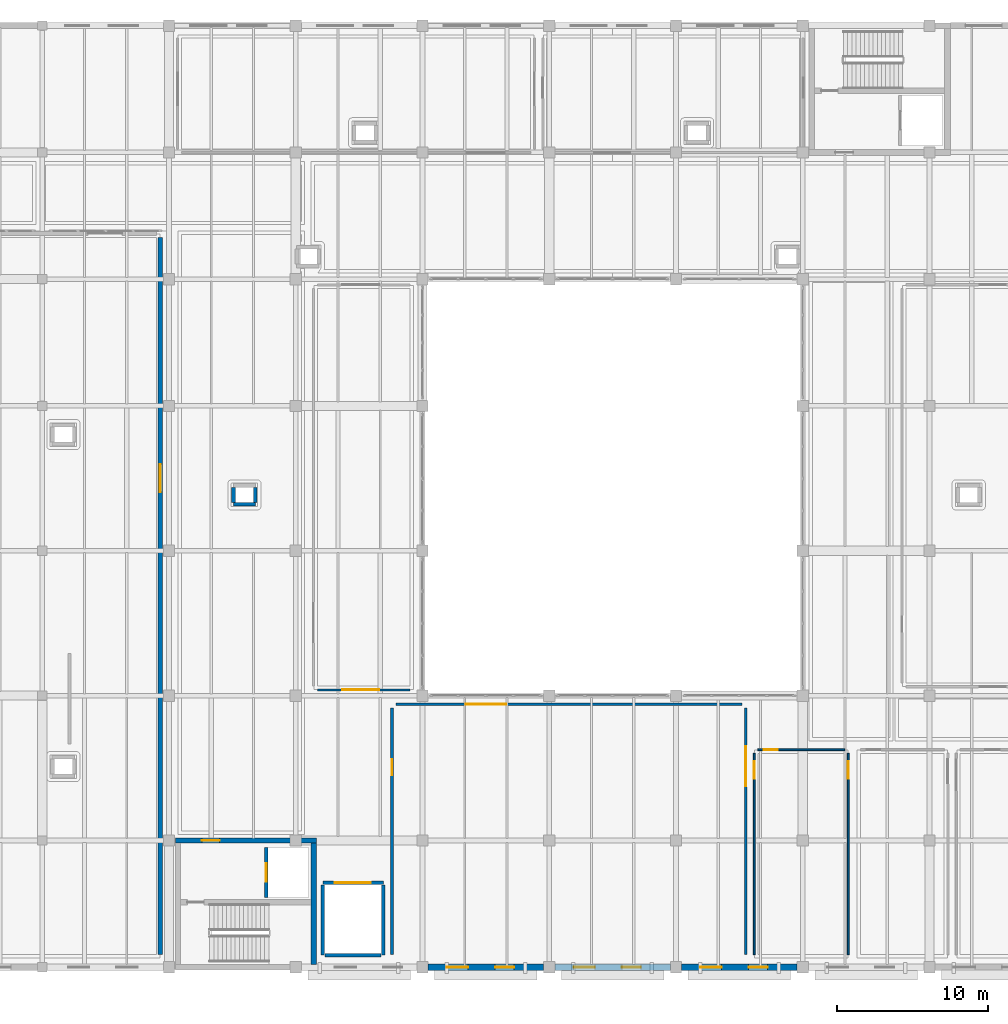
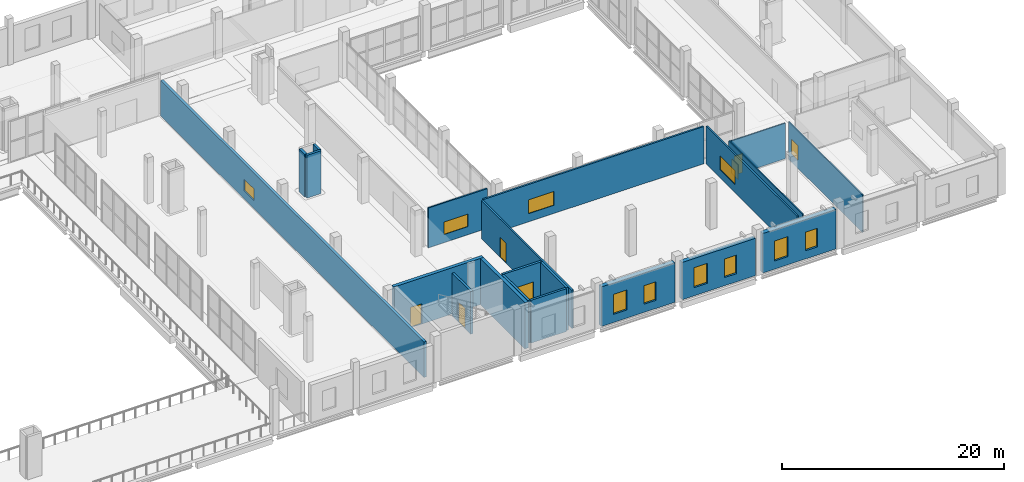
# One storey, part 62 of 77: 21 walls, 12 windows, 5 doors, 17 openings.
"""IFC4 building model written with IfcOpenShell, lengths in metres."""

from ifc_helpers import new_model, si_unit, direction, frame, frame_2d, origin, place, context, subcontext, project, spatial, rectangle, extrude, material, layer, layer_set, type_object, element, fill, save


model = new_model("IFC4")

# Units and contexts
model_context = context("Model", 3, precision=1e-05, world=origin(), true_north=direction((0.0, 1.0)))
body_context = subcontext(model_context, "Body", "Model", "MODEL_VIEW")
ifc_project = project(units=[si_unit("LENGTHUNIT", "METRE"), si_unit("AREAUNIT", "SQUARE_METRE"), si_unit("VOLUMEUNIT", "CUBIC_METRE"), si_unit("PLANEANGLEUNIT", "RADIAN"), si_unit("MASSUNIT", "GRAM", prefix="KILO")], contexts=[model_context])

# Site, building, storey
site_placement = place(None, origin())
site = spatial("IfcSite", under=ifc_project, at=site_placement, CompositionType="ELEMENT")
building_placement = place(site_placement, origin())
building = spatial("IfcBuilding", under=site, at=building_placement, Name="Zulmaris Art Gallery", CompositionType="ELEMENT")
storey_placement = place(building_placement, frame((0.0, 0.0, 15.60009765625)))
storey = spatial("IfcBuildingStorey", under=building, at=storey_placement, Name="L03", CompositionType="ELEMENT", Elevation=15.60009765625)

# Wall, openings, windows
ifc_material_1 = material(Name="Omani Cream Limestone Ashlar Masonry", Category="masonry")
ifc_layer_1 = layer(ifc_material_1, 0.43994140625)
ifc_layer_set_1 = layer_set([ifc_layer_1], Name="Omani Cream Limestone Ashlar Masonry")
wall_type_1 = type_object("IfcWallType", Name="ENV-WALL-EW01", PredefinedType="SOLIDWALL", material=ifc_layer_set_1)
wall_1_placement = place(storey_placement, frame((158.777099609375, 13.199951171875, 0.0), z_axis=(0.0, 0.0, 1.0), x_axis=(1.0, 0.0, 0.0)))
wall_1 = element("IfcWall", 1, at=wall_1_placement, inside=storey, type_object=wall_type_1, Name="L03 V5 South Facade Bay 2", PredefinedType="SOLIDWALL", context=body_context, shape_type="SweptSolid", body=[
    extrude(rectangle(XDim=7.64599609375, YDim=0.43994140625, at=frame_2d((3.822998046875, 0.0))), origin(), (0.0, 0.0, 1.0), 4.35986328125),
])
opening_1_placement = place(wall_1_placement, frame((1.242919921875, 0.0, 0.89990234375)))
opening_1 = element("IfcOpeningElement", 2, at=opening_1_placement, cuts=wall_1, Name="Opening W04", PredefinedType="OPENING", context=body_context, shape_type="SweptSolid", body=[
    extrude(rectangle(XDim=1.39990234375, YDim=2.199951171875, at=frame_2d((0.699951171875, 1.10009765625))), frame((0.0, 0.22998046875, 0.0), z_axis=(0.0, -1.0, 0.0), x_axis=(1.0, 0.0, 0.0)), (0.0, 0.0, 1.0), 0.4599609375),
])
opening_2_placement = place(wall_1_placement, frame((4.443115234375, 0.0, 0.89990234375)))
opening_2 = element("IfcOpeningElement", 3, at=opening_2_placement, cuts=wall_1, Name="Opening W10", PredefinedType="OPENING", context=body_context, shape_type="SweptSolid", body=[
    extrude(rectangle(XDim=1.25, YDim=2.050048828125, at=frame_2d((0.625, 1.02490234375))), frame((0.0, 0.22998046875, 0.0), z_axis=(0.0, -1.0, 0.0), x_axis=(1.0, 0.0, 0.0)), (0.0, 0.0, 1.0), 0.4599609375),
])
ifc_material_2 = material(Name="Deep-Reveal Limestone Slot Window", Category="masonry")
window_type_1 = type_object("IfcWindowType", Name="WIN-W04", PartitioningType="SINGLE_PANEL", PredefinedType="WINDOW", material=ifc_material_2)
window_1_placement = place(opening_1_placement, origin())
window_1 = element("IfcWindow", 4, at=window_1_placement, inside=storey, type_object=window_type_1, Name="L03 exterior window W04", OverallHeight=2.199951171875, OverallWidth=1.39990234375, PartitioningType="SINGLE_PANEL", PredefinedType="WINDOW", context=body_context, shape_type="SweptSolid", body=[
    extrude(rectangle(XDim=1.39990234375, YDim=2.199951171875, at=frame_2d((0.699951171875, 1.10009765625))), frame((0.0, 0.030029296875, 0.0), z_axis=(0.0, -1.0, 0.0), x_axis=(1.0, 0.0, 0.0)), (0.0, 0.0, 1.0), 0.06005859375),
])
fill(opening_1, window_1)
ifc_material_3 = material(Name="Limestone Deep-Set Lancet Window", Category="masonry")
window_type_2 = type_object("IfcWindowType", Name="WIN-W10", PartitioningType="SINGLE_PANEL", PredefinedType="WINDOW", material=ifc_material_3)
window_2_placement = place(opening_2_placement, origin())
window_2 = element("IfcWindow", 5, at=window_2_placement, inside=storey, type_object=window_type_2, Name="L03 exterior window W10", OverallHeight=2.050048828125, OverallWidth=1.25, PartitioningType="SINGLE_PANEL", PredefinedType="WINDOW", context=body_context, shape_type="SweptSolid", body=[
    extrude(rectangle(XDim=1.25, YDim=2.050048828125, at=frame_2d((0.625, 1.02490234375))), frame((0.0, 0.030029296875, 0.0), z_axis=(0.0, -1.0, 0.0), x_axis=(1.0, 0.0, 0.0)), (0.0, 0.0, 1.0), 0.06005859375),
])
fill(opening_2, window_2)

wall_2_placement = place(storey_placement, frame((167.177001953125, 13.199951171875, 0.0), z_axis=(0.0, 0.0, 1.0), x_axis=(1.0, 0.0, 0.0)))
wall_2 = element("IfcWall", 6, at=wall_2_placement, inside=storey, type_object=wall_type_1, Name="L03 V5 South Facade Bay 3", PredefinedType="SOLIDWALL", context=body_context, shape_type="SweptSolid", body=[
    extrude(rectangle(XDim=7.64599609375, YDim=0.43994140625, at=frame_2d((3.822998046875, 0.0))), origin(), (0.0, 0.0, 1.0), 4.10986328125),
])
opening_3_placement = place(wall_2_placement, frame((1.242919921875, 0.0, 0.89990234375)))
opening_3 = element("IfcOpeningElement", 7, at=opening_3_placement, cuts=wall_2, Name="Opening W04", PredefinedType="OPENING", context=body_context, shape_type="SweptSolid", body=[
    extrude(rectangle(XDim=1.39990234375, YDim=2.199951171875, at=frame_2d((0.699951171875, 1.10009765625))), frame((0.0, 0.22998046875, 0.0), z_axis=(0.0, -1.0, 0.0), x_axis=(1.0, 0.0, 0.0)), (0.0, 0.0, 1.0), 0.4599609375),
])
opening_4_placement = place(wall_2_placement, frame((4.443115234375, 0.0, 0.89990234375)))
opening_4 = element("IfcOpeningElement", 8, at=opening_4_placement, cuts=wall_2, Name="Opening W10", PredefinedType="OPENING", context=body_context, shape_type="SweptSolid", body=[
    extrude(rectangle(XDim=1.25, YDim=2.050048828125, at=frame_2d((0.625, 1.02490234375))), frame((0.0, 0.22998046875, 0.0), z_axis=(0.0, -1.0, 0.0), x_axis=(1.0, 0.0, 0.0)), (0.0, 0.0, 1.0), 0.4599609375),
])
window_3_placement = place(opening_3_placement, origin())
window_3 = element("IfcWindow", 9, at=window_3_placement, inside=storey, type_object=window_type_1, Name="L03 exterior window W04", OverallHeight=2.199951171875, OverallWidth=1.39990234375, PartitioningType="SINGLE_PANEL", PredefinedType="WINDOW", context=body_context, shape_type="SweptSolid", body=[
    extrude(rectangle(XDim=1.39990234375, YDim=2.199951171875, at=frame_2d((0.699951171875, 1.10009765625))), frame((0.0, 0.030029296875, 0.0), z_axis=(0.0, -1.0, 0.0), x_axis=(1.0, 0.0, 0.0)), (0.0, 0.0, 1.0), 0.06005859375),
])
fill(opening_3, window_3)
window_4_placement = place(opening_4_placement, origin())
window_4 = element("IfcWindow", 10, at=window_4_placement, inside=storey, type_object=window_type_2, Name="L03 exterior window W10", OverallHeight=2.050048828125, OverallWidth=1.25, PartitioningType="SINGLE_PANEL", PredefinedType="WINDOW", context=body_context, shape_type="SweptSolid", body=[
    extrude(rectangle(XDim=1.25, YDim=2.050048828125, at=frame_2d((0.625, 1.02490234375))), frame((0.0, 0.030029296875, 0.0), z_axis=(0.0, -1.0, 0.0), x_axis=(1.0, 0.0, 0.0)), (0.0, 0.0, 1.0), 0.06005859375),
])
fill(opening_4, window_4)

wall_3_placement = place(storey_placement, frame((175.576904296875, 13.199951171875, 0.0), z_axis=(0.0, 0.0, 1.0), x_axis=(1.0, 0.0, 0.0)))
wall_3 = element("IfcWall", 11, at=wall_3_placement, inside=storey, type_object=wall_type_1, Name="L03 V5 South Facade Bay 4", PredefinedType="SOLIDWALL", context=body_context, shape_type="SweptSolid", body=[
    extrude(rectangle(XDim=7.64599609375, YDim=0.43994140625, at=frame_2d((3.822998046875, 0.0))), origin(), (0.0, 0.0, 1.0), 4.35986328125),
])
opening_5_placement = place(wall_3_placement, frame((1.242919921875, 0.0, 0.89990234375)))
opening_5 = element("IfcOpeningElement", 12, at=opening_5_placement, cuts=wall_3, Name="Opening W04", PredefinedType="OPENING", context=body_context, shape_type="SweptSolid", body=[
    extrude(rectangle(XDim=1.39990234375, YDim=2.199951171875, at=frame_2d((0.699951171875, 1.10009765625))), frame((0.0, 0.22998046875, 0.0), z_axis=(0.0, -1.0, 0.0), x_axis=(1.0, 0.0, 0.0)), (0.0, 0.0, 1.0), 0.4599609375),
])
opening_6_placement = place(wall_3_placement, frame((4.443115234375, 0.0, 0.89990234375)))
opening_6 = element("IfcOpeningElement", 13, at=opening_6_placement, cuts=wall_3, Name="Opening W10", PredefinedType="OPENING", context=body_context, shape_type="SweptSolid", body=[
    extrude(rectangle(XDim=1.25, YDim=2.050048828125, at=frame_2d((0.625, 1.02490234375))), frame((0.0, 0.22998046875, 0.0), z_axis=(0.0, -1.0, 0.0), x_axis=(1.0, 0.0, 0.0)), (0.0, 0.0, 1.0), 0.4599609375),
])
window_5_placement = place(opening_5_placement, origin())
window_5 = element("IfcWindow", 14, at=window_5_placement, inside=storey, type_object=window_type_1, Name="L03 exterior window W04", OverallHeight=2.199951171875, OverallWidth=1.39990234375, PartitioningType="SINGLE_PANEL", PredefinedType="WINDOW", context=body_context, shape_type="SweptSolid", body=[
    extrude(rectangle(XDim=1.39990234375, YDim=2.199951171875, at=frame_2d((0.699951171875, 1.10009765625))), frame((0.0, 0.030029296875, 0.0), z_axis=(0.0, -1.0, 0.0), x_axis=(1.0, 0.0, 0.0)), (0.0, 0.0, 1.0), 0.06005859375),
])
fill(opening_5, window_5)
window_6_placement = place(opening_6_placement, origin())
window_6 = element("IfcWindow", 15, at=window_6_placement, inside=storey, type_object=window_type_2, Name="L03 exterior window W10", OverallHeight=2.050048828125, OverallWidth=1.25, PartitioningType="SINGLE_PANEL", PredefinedType="WINDOW", context=body_context, shape_type="SweptSolid", body=[
    extrude(rectangle(XDim=1.25, YDim=2.050048828125, at=frame_2d((0.625, 1.02490234375))), frame((0.0, 0.030029296875, 0.0), z_axis=(0.0, -1.0, 0.0), x_axis=(1.0, 0.0, 0.0)), (0.0, 0.0, 1.0), 0.06005859375),
])
fill(opening_6, window_6)

# Wall, opening, door
ifc_material_4 = material(Name="Moisture-Resistant Tile-Backer Wet Wall", Category="gypsum")
ifc_layer_2 = layer(ifc_material_4, 0.114990234375)
ifc_layer_set_2 = layer_set([ifc_layer_2], Name="Moisture-Resistant Tile-Backer Wet Wall")
wall_type_2 = type_object("IfcWallType", Name="IWALL-PW02", PredefinedType="PARTITIONING", material=ifc_layer_set_2)
wall_4_placement = place(storey_placement, frame((180.6298828125, 27.6201171875, 0.0), z_axis=(0.0, 0.0, 1.0), x_axis=(1.0, 0.0, 0.0)))
wall_4 = element("IfcWall", 16, at=wall_4_placement, inside=storey, type_object=wall_type_2, Name="Level 03 Male WC N partition", PredefinedType="PARTITIONING", context=body_context, shape_type="SweptSolid", body=[
    extrude(rectangle(XDim=5.740234375, YDim=0.114990234375, at=frame_2d((2.8701171875, 0.0))), origin(), (0.0, 0.0, 1.0), 3.909912109375),
])
opening_7_placement = place(wall_4_placement, frame((0.39990234375, 0.0, 0.0)))
opening_7 = element("IfcOpeningElement", 17, at=opening_7_placement, cuts=wall_4, Name="Opening D01", PredefinedType="OPENING", context=body_context, shape_type="SweptSolid", body=[
    extrude(rectangle(XDim=0.89990234375, YDim=2.10009765625, at=frame_2d((0.449951171875, 1.050048828125))), frame((0.0, 0.0673828125, 0.0), z_axis=(0.0, -1.0, 0.0), x_axis=(1.0, 0.0, 0.0)), (0.0, 0.0, 1.0), 0.135009765625),
])
ifc_material_5 = material(Name="Moisture-Resistant WC Door", Category="timber")
door_type_1 = type_object("IfcDoorType", Name="IDOOR-D01", OperationType="NOTDEFINED", PredefinedType="DOOR", material=ifc_material_5)
door_1_placement = place(opening_7_placement, origin())
door_1 = element("IfcDoor", 18, at=door_1_placement, inside=storey, type_object=door_type_1, Name="Level 03 Male WC Door", OperationType="SINGLE_SWING_LEFT", OverallHeight=2.10009765625, OverallWidth=0.89990234375, PredefinedType="DOOR", context=body_context, shape_type="SweptSolid", body=[
    extrude(rectangle(XDim=0.89990234375, YDim=2.10009765625, at=frame_2d((0.449951171875, 1.050048828125))), frame((0.0, 0.02490234375, 0.0), z_axis=(0.0, -1.0, 0.0), x_axis=(1.0, 0.0, 0.0)), (0.0, 0.0, 1.0), 0.050048828125),
])
fill(opening_7, door_1)

# Wall, opening, window
wall_5_placement = place(storey_placement, frame((180.3798828125, 14.030029296875, 0.0), z_axis=(0.0, 0.0, 1.0), x_axis=(0.0, 1.0, 0.0)))
wall_5 = element("IfcWall", 19, at=wall_5_placement, inside=storey, type_object=wall_type_2, Name="Level 03 Male WC W partition", PredefinedType="PARTITIONING", context=body_context, shape_type="SweptSolid", body=[
    extrude(rectangle(XDim=13.340087890625, YDim=0.114990234375, at=frame_2d((6.669921875, 0.0))), origin(), (0.0, 0.0, 1.0), 4.18994140625),
])
opening_8_placement = place(wall_5_placement, frame((11.64990234375, 0.0, 0.89990234375)))
opening_8 = element("IfcOpeningElement", 20, at=opening_8_placement, cuts=wall_5, Name="Opening IW08", PredefinedType="OPENING", context=body_context, shape_type="SweptSolid", body=[
    extrude(rectangle(XDim=1.159912109375, YDim=1.6201171875, at=frame_2d((0.580078125, 0.81005859375))), frame((0.0, 0.0673828125, 0.0), z_axis=(0.0, -1.0, 0.0), x_axis=(1.0, 0.0, 0.0)), (0.0, 0.0, 1.0), 0.135009765625),
])
ifc_material_6 = material(Name="Foyer Cloakroom Counter Glazing", Category="glass")
window_type_3 = type_object("IfcWindowType", Name="IWIN-IW08", PartitioningType="SINGLE_PANEL", PredefinedType="WINDOW", material=ifc_material_6)
window_7_placement = place(opening_8_placement, origin())
window_7 = element("IfcWindow", 21, at=window_7_placement, inside=storey, type_object=window_type_3, Name="L03 interior observation window IW08", OverallHeight=1.6201171875, OverallWidth=1.159912109375, PartitioningType="SINGLE_PANEL", PredefinedType="WINDOW", context=body_context, shape_type="SweptSolid", body=[
    extrude(rectangle(XDim=1.159912109375, YDim=1.6201171875, at=frame_2d((0.580078125, 0.81005859375))), frame((0.0, 0.030029296875, 0.0), z_axis=(0.0, -1.0, 0.0), x_axis=(1.0, 0.0, 0.0)), (0.0, 0.0, 1.0), 0.06005859375),
])
fill(opening_8, window_7)

wall_6_placement = place(storey_placement, frame((186.6201171875, 14.030029296875, 0.0), z_axis=(0.0, 0.0, 1.0), x_axis=(0.0, 1.0, 0.0)))
wall_6 = element("IfcWall", 22, at=wall_6_placement, inside=storey, type_object=wall_type_2, Name="Level 03 Male WC E partition", PredefinedType="PARTITIONING", context=body_context, shape_type="SweptSolid", body=[
    extrude(rectangle(XDim=13.340087890625, YDim=0.114990234375, at=frame_2d((6.669921875, 0.0))), origin(), (0.0, 0.0, 1.0), 4.119873046875),
])
opening_9_placement = place(wall_6_placement, frame((11.64990234375, 0.0, 0.89990234375)))
opening_9 = element("IfcOpeningElement", 23, at=opening_9_placement, cuts=wall_6, Name="Opening IW08", PredefinedType="OPENING", context=body_context, shape_type="SweptSolid", body=[
    extrude(rectangle(XDim=1.159912109375, YDim=1.6201171875, at=frame_2d((0.580078125, 0.81005859375))), frame((0.0, 0.0673828125, 0.0), z_axis=(0.0, -1.0, 0.0), x_axis=(1.0, 0.0, 0.0)), (0.0, 0.0, 1.0), 0.135009765625),
])
window_8_placement = place(opening_9_placement, origin())
window_8 = element("IfcWindow", 24, at=window_8_placement, inside=storey, type_object=window_type_3, Name="L03 interior observation window IW08", OverallHeight=1.6201171875, OverallWidth=1.159912109375, PartitioningType="SINGLE_PANEL", PredefinedType="WINDOW", context=body_context, shape_type="SweptSolid", body=[
    extrude(rectangle(XDim=1.159912109375, YDim=1.6201171875, at=frame_2d((0.580078125, 0.81005859375))), frame((0.0, 0.030029296875, 0.0), z_axis=(0.0, -1.0, 0.0), x_axis=(1.0, 0.0, 0.0)), (0.0, 0.0, 1.0), 0.06005859375),
])
fill(opening_9, window_8)

ifc_material_7 = material(Name="Plywood-Backed Gallery Hanging Partition", Category="wood")
ifc_layer_3 = layer(ifc_material_7, 0.14501953125)
ifc_layer_set_3 = layer_set([ifc_layer_3], Name="Plywood-Backed Gallery Hanging Partition")
wall_type_3 = type_object("IfcWallType", Name="IWALL-PW04", PredefinedType="PARTITIONING", material=ifc_layer_set_3)
wall_7_placement = place(storey_placement, frame((151.429931640625, 31.580078125, 0.0), z_axis=(0.0, 0.0, 1.0), x_axis=(1.0, 0.0, 0.0)))
wall_7 = element("IfcWall", 25, at=wall_7_placement, inside=storey, type_object=wall_type_3, Name="Chief Curator & Exhibition Design Suite S partition", PredefinedType="PARTITIONING", context=body_context, shape_type="SweptSolid", body=[
    extrude(rectangle(XDim=6.14013671875, YDim=0.14501953125, at=frame_2d((3.070068359375, 0.0))), origin(), (0.0, 0.0, 1.0), 4.3798828125),
])
opening_10_placement = place(wall_7_placement, frame((1.64990234375, 0.0, 0.89990234375)))
opening_10 = element("IfcOpeningElement", 26, at=opening_10_placement, cuts=wall_7, Name="Opening IW05", PredefinedType="OPENING", context=body_context, shape_type="SweptSolid", body=[
    extrude(rectangle(XDim=2.4599609375, YDim=1.3798828125, at=frame_2d((1.22998046875, 0.68994140625))), frame((0.0, 0.08251953125, 0.0), z_axis=(0.0, -1.0, 0.0), x_axis=(1.0, 0.0, 0.0)), (0.0, 0.0, 1.0), 0.1650390625),
])
ifc_material_8 = material(Name="Workshop Safety Observation Window", Category="glass")
window_type_4 = type_object("IfcWindowType", Name="IWIN-IW05", PartitioningType="SINGLE_PANEL", PredefinedType="WINDOW", material=ifc_material_8)
window_9_placement = place(opening_10_placement, origin())
window_9 = element("IfcWindow", 27, at=window_9_placement, inside=storey, type_object=window_type_4, Name="L03 interior observation window IW05", OverallHeight=1.3798828125, OverallWidth=2.4599609375, PartitioningType="SINGLE_PANEL", PredefinedType="WINDOW", context=body_context, shape_type="SweptSolid", body=[
    extrude(rectangle(XDim=2.4599609375, YDim=1.3798828125, at=frame_2d((1.22998046875, 0.68994140625))), frame((0.0, 0.030029296875, 0.0), z_axis=(0.0, -1.0, 0.0), x_axis=(1.0, 0.0, 0.0)), (0.0, 0.0, 1.0), 0.06005859375),
])
fill(opening_10, window_9)

# Wall, opening, door
ifc_material_9 = material(Name="Acoustic Studio Separation Partition", Category="gypsum")
ifc_layer_4 = layer(ifc_material_9, 0.175048828125)
ifc_layer_set_4 = layer_set([ifc_layer_4], Name="Acoustic Studio Separation Partition")
wall_type_4 = type_object("IfcWallType", Name="IWALL-PW06", PredefinedType="PARTITIONING", material=ifc_layer_set_4)
wall_8_placement = place(storey_placement, frame((156.3798828125, 14.030029296875, 0.0), z_axis=(0.0, 0.0, 1.0), x_axis=(0.0, 1.0, 0.0)))
wall_8 = element("IfcWall", 28, at=wall_8_placement, inside=storey, type_object=wall_type_4, Name="Gallery Climate AHU Plant Room L03 W partition", PredefinedType="PARTITIONING", context=body_context, shape_type="SweptSolid", body=[
    extrude(rectangle(XDim=16.340087890625, YDim=0.175048828125, at=frame_2d((8.169921875, 0.0))), origin(), (0.0, 0.0, 1.0), 4.219970703125),
])
opening_11_placement = place(wall_8_placement, frame((11.89990234375, 0.0, 0.0)))
opening_11 = element("IfcOpeningElement", 29, at=opening_11_placement, cuts=wall_8, Name="Opening D05", PredefinedType="OPENING", context=body_context, shape_type="SweptSolid", body=[
    extrude(rectangle(XDim=1.06005859375, YDim=2.199951171875, at=frame_2d((0.530029296875, 1.10009765625))), frame((0.0, 0.097412109375, 0.0), z_axis=(0.0, -1.0, 0.0), x_axis=(1.0, 0.0, 0.0)), (0.0, 0.0, 1.0), 0.195068359375),
])
ifc_material_10 = material(Name="Resident Artists Studio Door", Category="timber")
door_type_2 = type_object("IfcDoorType", Name="IDOOR-D05", OperationType="NOTDEFINED", PredefinedType="DOOR", material=ifc_material_10)
door_2_placement = place(opening_11_placement, origin())
door_2 = element("IfcDoor", 30, at=door_2_placement, inside=storey, type_object=door_type_2, Name="Gallery Climate AHU Plant Room L03 Door", OperationType="SINGLE_SWING_RIGHT", OverallHeight=2.199951171875, OverallWidth=1.06005859375, PredefinedType="DOOR", context=body_context, shape_type="SweptSolid", body=[
    extrude(rectangle(XDim=1.06005859375, YDim=2.199951171875, at=frame_2d((0.530029296875, 1.10009765625))), frame((0.0, 0.02490234375, 0.0), z_axis=(0.0, -1.0, 0.0), x_axis=(1.0, 0.0, 0.0)), (0.0, 0.0, 1.0), 0.050048828125),
])
fill(opening_11, door_2)

# Wall, opening, window
wall_9_placement = place(storey_placement, frame((156.6298828125, 30.6201171875, 0.0), z_axis=(0.0, 0.0, 1.0), x_axis=(1.0, 0.0, 0.0)))
wall_9 = element("IfcWall", 31, at=wall_9_placement, inside=storey, type_object=wall_type_4, Name="Gallery Climate AHU Plant Room L03 N partition", PredefinedType="PARTITIONING", context=body_context, shape_type="SweptSolid", body=[
    extrude(rectangle(XDim=22.940185546875, YDim=0.175048828125, at=frame_2d((11.47021484375, 0.0))), origin(), (0.0, 0.0, 1.0), 4.10986328125),
])
opening_12_placement = place(wall_9_placement, frame((4.64990234375, 0.0, 0.89990234375)))
opening_12 = element("IfcOpeningElement", 32, at=opening_12_placement, cuts=wall_9, Name="Opening IW07", PredefinedType="OPENING", context=body_context, shape_type="SweptSolid", body=[
    extrude(rectangle(XDim=2.679931640625, YDim=1.52001953125, at=frame_2d((1.33984375, 0.760009765625))), frame((0.0, 0.097412109375, 0.0), z_axis=(0.0, -1.0, 0.0), x_axis=(1.0, 0.0, 0.0)), (0.0, 0.0, 1.0), 0.195068359375),
])
ifc_material_11 = material(Name="Artists Salon Overlook Glazing", Category="glass")
window_type_5 = type_object("IfcWindowType", Name="IWIN-IW07", PartitioningType="SINGLE_PANEL", PredefinedType="WINDOW", material=ifc_material_11)
window_10_placement = place(opening_12_placement, origin())
window_10 = element("IfcWindow", 33, at=window_10_placement, inside=storey, type_object=window_type_5, Name="L03 interior observation window IW07", OverallHeight=1.52001953125, OverallWidth=2.679931640625, PartitioningType="SINGLE_PANEL", PredefinedType="WINDOW", context=body_context, shape_type="SweptSolid", body=[
    extrude(rectangle(XDim=2.679931640625, YDim=1.52001953125, at=frame_2d((1.33984375, 0.760009765625))), frame((0.0, 0.030029296875, 0.0), z_axis=(0.0, -1.0, 0.0), x_axis=(1.0, 0.0, 0.0)), (0.0, 0.0, 1.0), 0.06005859375),
])
fill(opening_12, window_10)

wall_10_placement = place(storey_placement, frame((179.820068359375, 14.030029296875, 0.0), z_axis=(0.0, 0.0, 1.0), x_axis=(0.0, 1.0, 0.0)))
wall_10 = element("IfcWall", 34, at=wall_10_placement, inside=storey, type_object=wall_type_4, Name="Gallery Climate AHU Plant Room L03 E partition", PredefinedType="PARTITIONING", context=body_context, shape_type="SweptSolid", body=[
    extrude(rectangle(XDim=16.340087890625, YDim=0.175048828125, at=frame_2d((8.169921875, 0.0))), origin(), (0.0, 0.0, 1.0), 4.18994140625),
])
opening_13_placement = place(wall_10_placement, frame((11.14990234375, 0.0, 0.89990234375)))
opening_13 = element("IfcOpeningElement", 35, at=opening_13_placement, cuts=wall_10, Name="Opening IW07", PredefinedType="OPENING", context=body_context, shape_type="SweptSolid", body=[
    extrude(rectangle(XDim=2.679931640625, YDim=1.52001953125, at=frame_2d((1.33984375, 0.760009765625))), frame((0.0, 0.097412109375, 0.0), z_axis=(0.0, -1.0, 0.0), x_axis=(1.0, 0.0, 0.0)), (0.0, 0.0, 1.0), 0.195068359375),
])
window_11_placement = place(opening_13_placement, origin())
window_11 = element("IfcWindow", 36, at=window_11_placement, inside=storey, type_object=window_type_5, Name="L03 interior observation window IW07", OverallHeight=1.52001953125, OverallWidth=2.679931640625, PartitioningType="SINGLE_PANEL", PredefinedType="WINDOW", context=body_context, shape_type="SweptSolid", body=[
    extrude(rectangle(XDim=2.679931640625, YDim=1.52001953125, at=frame_2d((1.33984375, 0.760009765625))), frame((0.0, 0.030029296875, 0.0), z_axis=(0.0, -1.0, 0.0), x_axis=(1.0, 0.0, 0.0)), (0.0, 0.0, 1.0), 0.06005859375),
])
fill(opening_13, window_11)

# Wall, opening, door
ifc_material_12 = material(Name="Core Lobby Fire-Resisting Masonry Wall", Category="masonry")
ifc_layer_5 = layer(ifc_material_12, 0.235107421875)
ifc_layer_set_5 = layer_set([ifc_layer_5], Name="Core Lobby Fire-Resisting Masonry Wall")
wall_type_5 = type_object("IfcWallType", Name="IWALL-PW10", PredefinedType="PARTITIONING", material=ifc_layer_set_5)
wall_11_placement = place(storey_placement, frame((148.050048828125, 17.820068359375, 0.0), z_axis=(0.0, 0.0, 1.0), x_axis=(0.0, 1.0, 0.0)))
wall_11 = element("IfcWall", 37, at=wall_11_placement, inside=storey, type_object=wall_type_5, Name="LF-F2 L03 lift shaft front wall", PredefinedType="PARTITIONING", context=body_context, shape_type="SweptSolid", body=[
    extrude(rectangle(XDim=3.329833984375, YDim=0.235107421875, at=frame_2d((1.6650390625, 0.0))), origin(), (0.0, 0.0, 1.0), 4.719970703125),
])
opening_14_placement = place(wall_11_placement, frame((1.054931640625, 0.0, 0.0)))
opening_14 = element("IfcOpeningElement", 38, at=opening_14_placement, cuts=wall_11, Name="Opening LD02", PredefinedType="OPENING", context=body_context, shape_type="SweptSolid", body=[
    extrude(rectangle(XDim=1.219970703125, YDim=2.239990234375, at=frame_2d((0.60986328125, 1.1201171875))), frame((0.0, 0.12744140625, 0.0), z_axis=(0.0, -1.0, 0.0), x_axis=(1.0, 0.0, 0.0)), (0.0, 0.0, 1.0), 0.255126953125),
])
ifc_material_13 = material(Name="Firefighting Lift Sliding Landing Door", Category="steel")
door_type_3 = type_object("IfcDoorType", Name="IDOOR-LD02", OperationType="SLIDING_TO_RIGHT", PredefinedType="DOOR", material=ifc_material_13)
door_3_placement = place(opening_14_placement, origin())
door_3 = element("IfcDoor", 39, at=door_3_placement, inside=storey, type_object=door_type_3, Name="LF-F2 L03 Lift Landing Sliding Door", OperationType="SLIDING_TO_RIGHT", OverallHeight=2.239990234375, OverallWidth=1.219970703125, PredefinedType="DOOR", context=body_context, shape_type="SweptSolid", body=[
    extrude(rectangle(XDim=1.219970703125, YDim=2.239990234375, at=frame_2d((0.60986328125, 1.1201171875))), frame((0.0, 0.02490234375, 0.0), z_axis=(0.0, -1.0, 0.0), x_axis=(1.0, 0.0, 0.0)), (0.0, 0.0, 1.0), 0.050048828125),
])
fill(opening_14, door_3)

wall_12_placement = place(storey_placement, frame((151.800048828125, 18.800048828125, 0.0), z_axis=(0.0, 0.0, 1.0), x_axis=(1.0, 0.0, 0.0)))
wall_12 = element("IfcWall", 40, at=wall_12_placement, inside=storey, type_object=wall_type_5, Name="Goods Lift L03 north shaft wall", PredefinedType="PARTITIONING", context=body_context, shape_type="SweptSolid", body=[
    extrude(rectangle(XDim=4.0, YDim=0.235107421875, at=frame_2d((2.0, 0.0))), origin(), (0.0, 0.0, 1.0), 4.719970703125),
])
opening_15_placement = place(wall_12_placement, frame((0.800048828125, 0.0, 0.0)))
opening_15 = element("IfcOpeningElement", 41, at=opening_15_placement, cuts=wall_12, Name="Opening LD03", PredefinedType="OPENING", context=body_context, shape_type="SweptSolid", body=[
    extrude(rectangle(XDim=2.360107421875, YDim=2.780029296875, at=frame_2d((1.18017578125, 1.39013671875))), frame((0.0, 0.12744140625, 0.0), z_axis=(0.0, -1.0, 0.0), x_axis=(1.0, 0.0, 0.0)), (0.0, 0.0, 1.0), 0.255126953125),
])
ifc_material_14 = material(Name="Goods Lift Oversize Sliding Landing Door", Category="steel")
door_type_4 = type_object("IfcDoorType", Name="IDOOR-LD03", OperationType="SLIDING_TO_LEFT", PredefinedType="DOOR", material=ifc_material_14)
door_4_placement = place(opening_15_placement, origin())
door_4 = element("IfcDoor", 42, at=door_4_placement, inside=storey, type_object=door_type_4, Name="Goods Lift LF-G1 L03 Sliding Landing Door", OperationType="SLIDING_TO_LEFT", OverallHeight=2.780029296875, OverallWidth=2.360107421875, PredefinedType="DOOR", context=body_context, shape_type="SweptSolid", body=[
    extrude(rectangle(XDim=2.360107421875, YDim=2.780029296875, at=frame_2d((1.18017578125, 1.39013671875))), frame((0.0, 0.02490234375, 0.0), z_axis=(0.0, -1.0, 0.0), x_axis=(1.0, 0.0, 0.0)), (0.0, 0.0, 1.0), 0.050048828125),
])
fill(opening_15, door_4)

# Walls
for number, where, z_axis, x_axis, name in (
    (43, (151.800048828125, 14.0, 0.0), (0.0, 0.0, 1.0), (0.0, 1.0, 0.0), "Goods Lift L03 west shaft wall"),
    (44, (155.800048828125, 14.0, 0.0), (0.0, 0.0, 1.0), (0.0, 1.0, 0.0), "Goods Lift L03 east shaft wall"),
):
    element("IfcWall", number, at=place(storey_placement, frame(where, z_axis=z_axis, x_axis=x_axis)), inside=storey, type_object=wall_type_5, Name=name, PredefinedType="PARTITIONING", context=body_context, shape_type="SweptSolid", body=[
        extrude(rectangle(XDim=4.659912109375, YDim=0.235107421875, at=frame_2d((2.330078125, 0.0))), origin(), (0.0, 0.0, 1.0), 4.719970703125),
    ])
wall_13_placement = place(storey_placement, frame((151.93994140625, 14.0, 0.0), z_axis=(0.0, 0.0, 1.0), x_axis=(1.0, 0.0, 0.0)))
element("IfcWall", 45, at=wall_13_placement, inside=storey, type_object=wall_type_5, Name="Goods Lift L03 south shaft wall", PredefinedType="PARTITIONING", context=body_context, shape_type="SweptSolid", body=[
    extrude(rectangle(XDim=3.719970703125, YDim=0.235107421875, at=frame_2d((1.85986328125, 0.0))), origin(), (0.0, 0.0, 1.0), 4.719970703125),
])
ifc_material_15 = material(Name="MEP Riser & Smoke Shaft Enclosure Wall", Category="masonry")
ifc_layer_6 = layer(ifc_material_15, 0.2548828125)
ifc_layer_set_6 = layer_set([ifc_layer_6], Name="MEP Riser & Smoke Shaft Enclosure Wall")
wall_type_6 = type_object("IfcWallType", Name="IWALL-PW11", PredefinedType="PARTITIONING", material=ifc_layer_set_6)
wall_14_placement = place(storey_placement, frame((145.860107421875, 43.8798828125, 0.0), z_axis=(0.0, 0.0, 1.0), x_axis=(1.0, 0.0, 0.0)))
element("IfcWall", 46, at=wall_14_placement, inside=storey, type_object=wall_type_6, Name="L03 MEP Riser 17 S wall", PredefinedType="PARTITIONING", context=body_context, shape_type="SweptSolid", body=[
    extrude(rectangle(XDim=1.47998046875, YDim=0.2548828125, at=frame_2d((0.739990234375, 0.0))), origin(), (0.0, 0.0, 1.0), 4.719970703125),
])
for number, where, z_axis, x_axis, name in (
    (47, (145.8798828125, 44.0, 0.0), (0.0, 0.0, 1.0), (0.0, 1.0, 0.0), "L03 MEP Riser 17 W wall"),
    (48, (147.320068359375, 44.0, 0.0), (0.0, 0.0, 1.0), (0.0, 1.0, 0.0), "L03 MEP Riser 17 E wall"),
):
    element("IfcWall", number, at=place(storey_placement, frame(where, z_axis=z_axis, x_axis=x_axis)), inside=storey, type_object=wall_type_6, Name=name, PredefinedType="PARTITIONING", context=body_context, shape_type="SweptSolid", body=[
        extrude(rectangle(XDim=1.0, YDim=0.2548828125, at=frame_2d((0.5, 0.0))), origin(), (0.0, 0.0, 1.0), 4.719970703125),
    ])

# Wall, opening, window
ifc_material_16 = material(Name="Plant & Substation Acoustic Blockwork Wall", Category="masonry")
ifc_layer_7 = layer(ifc_material_16, 0.27001953125)
ifc_layer_set_7 = layer_set([ifc_layer_7], Name="Plant & Substation Acoustic Blockwork Wall")
wall_type_7 = type_object("IfcWallType", Name="IWALL-PW12", PredefinedType="PARTITIONING", material=ifc_layer_set_7)
wall_15_placement = place(storey_placement, frame((141.02001953125, 14.030029296875, 0.0), z_axis=(0.0, 0.0, 1.0), x_axis=(0.0, 1.0, 0.0)))
wall_15 = element("IfcWall", 49, at=wall_15_placement, inside=storey, type_object=wall_type_7, Name="Setback Terrace Pavilion Gallery East E partition", PredefinedType="PARTITIONING", context=body_context, shape_type="SweptSolid", body=[
    extrude(rectangle(XDim=47.5400390625, YDim=0.27001953125, at=frame_2d((23.77001953125, 0.0))), origin(), (0.0, 0.0, 1.0), 3.909912109375),
])
opening_16_placement = place(wall_15_placement, frame((30.64990234375, 0.0, 0.89990234375)))
opening_16 = element("IfcOpeningElement", 50, at=opening_16_placement, cuts=wall_15, Name="Opening IW02", PredefinedType="OPENING", context=body_context, shape_type="SweptSolid", body=[
    extrude(rectangle(XDim=1.860107421875, YDim=1.280029296875, at=frame_2d((0.93017578125, 0.64013671875))), frame((0.0, 0.14501953125, 0.0), z_axis=(0.0, -1.0, 0.0), x_axis=(1.0, 0.0, 0.0)), (0.0, 0.0, 1.0), 0.2900390625),
])
ifc_material_17 = material(Name="Auditorium Booth Acoustic Window", Category="glass")
window_type_6 = type_object("IfcWindowType", Name="IWIN-IW02", PartitioningType="SINGLE_PANEL", PredefinedType="WINDOW", material=ifc_material_17)
window_12_placement = place(opening_16_placement, origin())
window_12 = element("IfcWindow", 51, at=window_12_placement, inside=storey, type_object=window_type_6, Name="L03 interior observation window IW02", OverallHeight=1.280029296875, OverallWidth=1.860107421875, PartitioningType="SINGLE_PANEL", PredefinedType="WINDOW", context=body_context, shape_type="SweptSolid", body=[
    extrude(rectangle(XDim=1.860107421875, YDim=1.280029296875, at=frame_2d((0.93017578125, 0.64013671875))), frame((0.0, 0.030029296875, 0.0), z_axis=(0.0, -1.0, 0.0), x_axis=(1.0, 0.0, 0.0)), (0.0, 0.0, 1.0), 0.06005859375),
])
fill(opening_16, window_12)

# Wall, opening, door
ifc_material_18 = material(Name="Concrete C50/60", Category="concrete")
ifc_layer_8 = layer(ifc_material_18, 0.35009765625)
ifc_layer_set_8 = layer_set([ifc_layer_8], Name="Concrete C50/60")
wall_type_8 = type_object("IfcWallType", Name="STR-WALL-SW01", PredefinedType="SHEAR", material=ifc_layer_set_8)
wall_16_placement = place(storey_placement, frame((142.02490234375, 21.60009765625, 0.0), z_axis=(0.0, 0.0, 1.0), x_axis=(1.0, 0.0, 0.0)))
wall_16 = element("IfcWall", 52, at=wall_16_placement, inside=storey, type_object=wall_type_8, Name="Core C3 L03 N shear wall", PredefinedType="SHEAR", context=body_context, shape_type="SweptSolid", body=[
    extrude(rectangle(XDim=9.35009765625, YDim=0.35009765625, at=frame_2d((4.675048828125, 0.0))), origin(), (0.0, 0.0, 1.0), 5.099853515625),
])
opening_17_placement = place(wall_16_placement, frame((1.75, 0.0, 0.0)))
opening_17 = element("IfcOpeningElement", 53, at=opening_17_placement, cuts=wall_16, Name="Opening D08", PredefinedType="OPENING", context=body_context, shape_type="SweptSolid", body=[
    extrude(rectangle(XDim=1.179931640625, YDim=2.239990234375, at=frame_2d((0.58984375, 1.1201171875))), frame((0.0, 0.18505859375, 0.0), z_axis=(0.0, -1.0, 0.0), x_axis=(1.0, 0.0, 0.0)), (0.0, 0.0, 1.0), 0.3701171875),
])
ifc_material_19 = material(Name="Firefighting Lobby Compartment Door", Category="steel")
door_type_5 = type_object("IfcDoorType", Name="IDOOR-D08", OperationType="NOTDEFINED", PredefinedType="DOOR", material=ifc_material_19)
door_5_placement = place(opening_17_placement, origin())
door_5 = element("IfcDoor", 54, at=door_5_placement, inside=storey, type_object=door_type_5, Name="Core C3 L03 Lobby Compartment Door", OperationType="SINGLE_SWING_RIGHT", OverallHeight=2.239990234375, OverallWidth=1.179931640625, PredefinedType="DOOR", context=body_context, shape_type="SweptSolid", body=[
    extrude(rectangle(XDim=1.179931640625, YDim=2.239990234375, at=frame_2d((0.58984375, 1.1201171875))), frame((0.0, 0.02490234375, 0.0), z_axis=(0.0, -1.0, 0.0), x_axis=(1.0, 0.0, 0.0)), (0.0, 0.0, 1.0), 0.050048828125),
])
fill(opening_17, door_5)

# Wall
wall_17_placement = place(storey_placement, frame((151.199951171875, 13.375, 0.0), z_axis=(0.0, 0.0, 1.0), x_axis=(0.0, 1.0, 0.0)))
element("IfcWall", 55, at=wall_17_placement, inside=storey, type_object=wall_type_8, Name="Core C3 L03 E shear wall", PredefinedType="SHEAR", context=body_context, shape_type="SweptSolid", body=[
    extrude(rectangle(XDim=8.050048828125, YDim=0.35009765625, at=frame_2d((4.02490234375, 0.0))), origin(), (0.0, 0.0, 1.0), 5.099853515625),
])

save(model, "model.ifc")
